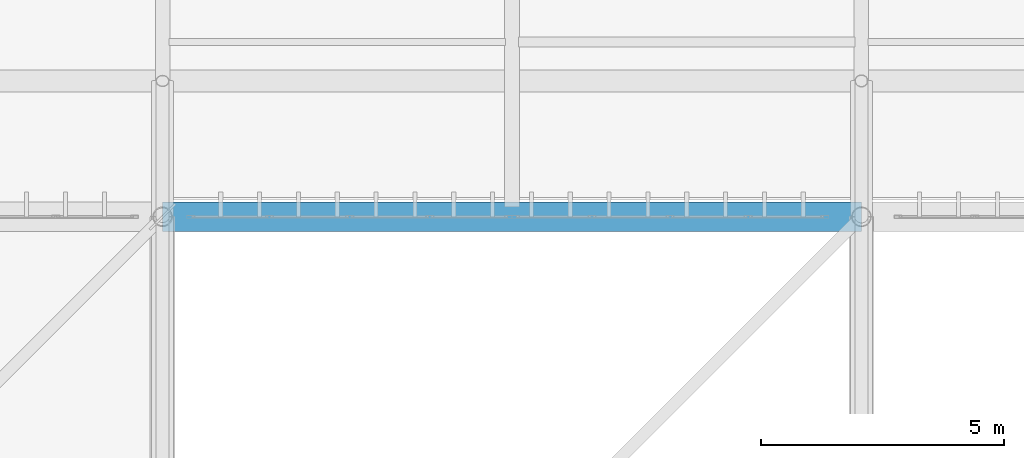
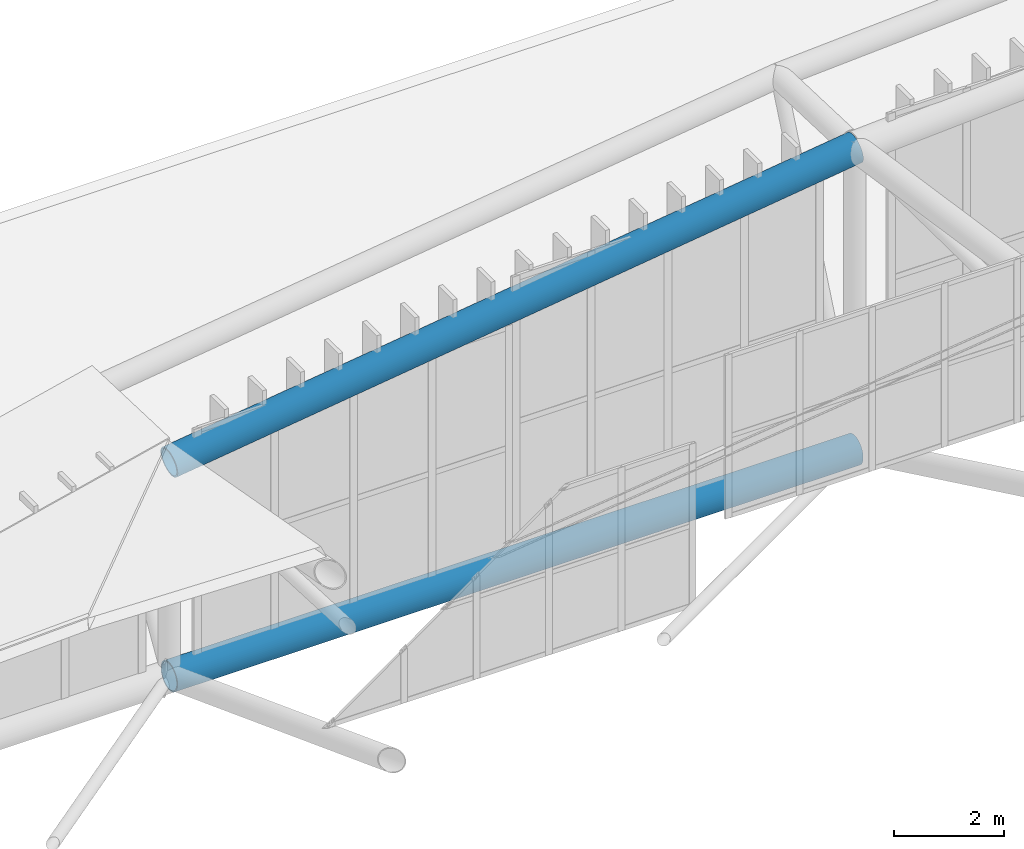
# One storey, part 255 of 397: 2 beams.
"""IFC4 building model written with IfcOpenShell, lengths in metres."""

from ifc_helpers import new_model, si_unit, direction, frame, origin, origin_2d, place, context, subcontext, project, spatial, hollow_circle, extrude, material, material_profile, profile_set, type_object, element, save


model = new_model("IFC4")

# Units and contexts
model_context = context("Model", 3, precision=1e-05, world=origin(), true_north=direction((0.0, 1.0)))
body_context = subcontext(model_context, "Body", "Model", "MODEL_VIEW")
ifc_project = project(units=[si_unit("LENGTHUNIT", "METRE"), si_unit("AREAUNIT", "SQUARE_METRE"), si_unit("VOLUMEUNIT", "CUBIC_METRE"), si_unit("PLANEANGLEUNIT", "RADIAN"), si_unit("MASSUNIT", "GRAM", prefix="KILO")], contexts=[model_context])

# Site, building, storey
site_placement = place(None, origin())
site = spatial("IfcSite", under=ifc_project, at=site_placement, CompositionType="ELEMENT")
building_placement = place(site_placement, origin())
building = spatial("IfcBuilding", under=site, at=building_placement, Name="Qandorah Velis Arena", CompositionType="ELEMENT")
storey_placement = place(building_placement, frame((0.0, 0.0, 27.5)))
storey = spatial("IfcBuildingStorey", under=building, at=storey_placement, Name="RF", CompositionType="ELEMENT", Elevation=27.5)

# Beams
ifc_material = material(Name="Steel S460", Category="steel")
ifc_material_profile_1 = material_profile(ifc_material, hollow_circle(Radius=0.304931640625, WallThickness=0.02490234375, at=origin_2d()), Name="CHS 610x25")
ifc_profile_set_1 = profile_set([ifc_material_profile_1], Name="Steel S460")
beam_type_1 = type_object("IfcBeamType", Name="STR-SFC-CHS610X25", PredefinedType="USERDEFINED", material=ifc_profile_set_1)
beam_1_placement = place(storey_placement, frame((28.800048828125, 115.199951171875, 0.10009765625), z_axis=(1.0, 0.0, 0.0), x_axis=(0.0, 1.0, 0.0)))
element("IfcBeam", 1, at=beam_1_placement, inside=storey, type_object=beam_type_1, Name="Space frame roof truss bottom chord X 1.7", ObjectType="ROOF TRUSS", PredefinedType="USERDEFINED", context=body_context, shape_type="SweptSolid", body=[
    extrude(hollow_circle(Radius=0.304931640625, WallThickness=0.02490234375, at=origin_2d()), origin(), (0.0, 0.0, 1.0), 14.39990234375),
])
ifc_material_profile_2 = material_profile(ifc_material, hollow_circle(Radius=0.304931640625, WallThickness=0.031982421875, at=origin_2d()), Name="CHS 610x32")
ifc_profile_set_2 = profile_set([ifc_material_profile_2], Name="Steel S460")
beam_type_2 = type_object("IfcBeamType", Name="STR-SFC-CHS610X32", PredefinedType="USERDEFINED", material=ifc_profile_set_2)
beam_2_placement = place(storey_placement, frame((28.800048828125, 115.199951171875, 4.851806640625), z_axis=(0.990978021788, 0.0, 0.134024476617), x_axis=(0.0, 1.0, 0.0)))
element("IfcBeam", 2, at=beam_2_placement, inside=storey, type_object=beam_type_2, Name="Space frame roof truss top chord X 1.7", ObjectType="ROOF TRUSS", PredefinedType="USERDEFINED", context=body_context, shape_type="SweptSolid", body=[
    extrude(hollow_circle(Radius=0.304931640625, WallThickness=0.031982421875, at=origin_2d()), origin(), (0.0, 0.0, 1.0), 14.531005859375),
])

save(model, "model.ifc")
